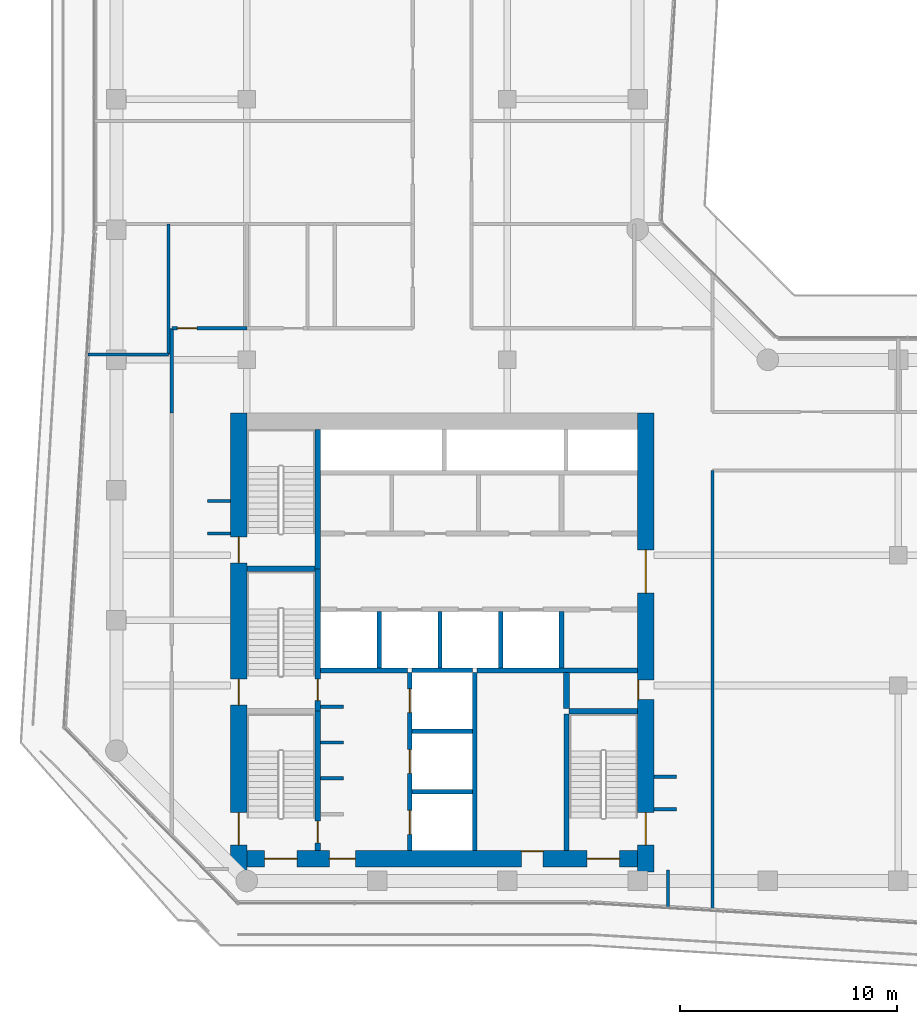
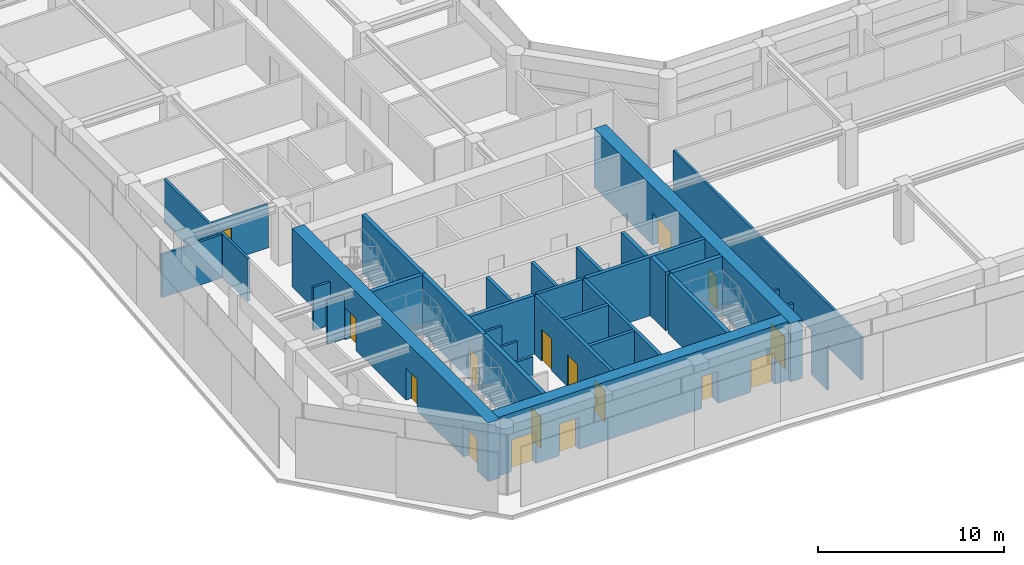
# One storey, part 20 of 24: 34 walls, 16 doors, 16 openings.
"""IFC4 building model written with IfcOpenShell, lengths in metres."""

import ifcopenshell
import ifcopenshell.guid

model = None  # the IFC model being written
_history = None  # IfcOwnerHistory: only IFC2X3 demands one
_inside = {}  # id of a spatial element -> (the spatial element, [elements in it])
_under = {}  # id of a project, library or spatial element -> (it, [spatial elements below it])
_declared = {}  # id of a project -> (the project, [libraries it declares])
_typed = {}  # id of a type object -> (the type object, [elements of that type])
_made_of = {}  # id of a material, layer set ... -> (it, [elements and type objects made of it])


def new_model(schema):
    """Start an empty IFC model of exactly this schema.

    Asked for "IFC4X3", IfcOpenShell would pick the latest addendum, in which some entities
    have other attributes; the version numbers below select the first issue.
    IFC2X3 requires an IfcOwnerHistory on every rooted entity: one is made here for all.
    """
    global model, _history
    if schema == "IFC4X3":
        model = ifcopenshell.file(schema_version=(4, 3, 0, 0))
    else:
        model = ifcopenshell.file(schema=schema)
    _inside.clear()
    _under.clear()
    _declared.clear()
    _typed.clear()
    _made_of.clear()
    _history = None
    if model.schema == "IFC2X3":
        org = make("IfcOrganization", Name="unknown")
        user = make(
            "IfcPersonAndOrganization",
            ThePerson=make("IfcPerson", FamilyName="unknown"),
            TheOrganization=org,
        )
        app = make(
            "IfcApplication",
            ApplicationDeveloper=org,
            Version="unknown",
            ApplicationFullName="unknown",
            ApplicationIdentifier="unknown",
        )
        _history = make(
            "IfcOwnerHistory",
            OwningUser=user,
            OwningApplication=app,
            ChangeAction="ADDED",
            CreationDate=0,
        )
    return model


def make(cls, **values):
    """One entity of the class cls with the attributes given. An attribute that is None is left unset."""
    return model.create_entity(
        cls, **{name: value for name, value in values.items() if value is not None}
    )


def rooted(cls, **values):
    """An entity with a GlobalId (a new one), such as an element, a storey or a relation."""
    return make(cls, GlobalId=ifcopenshell.guid.new(), OwnerHistory=_history, **values)


def si_unit(unit_type, name, prefix=None):
    """IfcSIUnit, for example si_unit("LENGTHUNIT", "METRE", prefix="MILLI")."""
    return make("IfcSIUnit", UnitType=unit_type, Prefix=prefix, Name=name)


def assignment(units):
    """IfcUnitAssignment: the units of a project."""
    return None if units is None else make("IfcUnitAssignment", Units=units)


def point(xyz):
    """IfcCartesianPoint."""
    return None if xyz is None else make("IfcCartesianPoint", Coordinates=xyz)


def direction(xyz):
    """IfcDirection."""
    return None if xyz is None else make("IfcDirection", DirectionRatios=xyz)


def frame(location, z_axis=None, x_axis=None):
    """IfcAxis2Placement3D, a coordinate frame: its origin and axes. An axis left out is left unset."""
    return make(
        "IfcAxis2Placement3D",
        Location=point(location),
        Axis=direction(z_axis),
        RefDirection=direction(x_axis),
    )


def frame_2d(location, x_axis=None):
    """IfcAxis2Placement2D, a coordinate frame in the plane: its origin and x axis."""
    return make(
        "IfcAxis2Placement2D", Location=point(location), RefDirection=direction(x_axis)
    )


def origin():
    """The frame at (0, 0, 0) with its axes left unset."""
    return frame((0.0, 0.0, 0.0))


def place(relative_to, where):
    """IfcLocalPlacement: puts the frame where relative to a parent placement (None: the world)."""
    return make(
        "IfcLocalPlacement", PlacementRelTo=relative_to, RelativePlacement=where
    )


def context(
    kind, dimensions, precision=None, world=None, true_north=None, identifier=None
):
    """IfcGeometricRepresentationContext, for example the 3D "Model" context."""
    return make(
        "IfcGeometricRepresentationContext",
        ContextIdentifier=identifier,
        ContextType=kind,
        CoordinateSpaceDimension=dimensions,
        Precision=precision,
        WorldCoordinateSystem=world,
        TrueNorth=true_north,
    )


def subcontext(parent, identifier, kind, view, scale=None):
    """IfcGeometricRepresentationSubContext, for example "Body" below "Model"."""
    return make(
        "IfcGeometricRepresentationSubContext",
        ContextIdentifier=identifier,
        ContextType=kind,
        ParentContext=parent,
        TargetScale=scale,
        TargetView=view,
    )


def project(units=None, contexts=None):
    """IfcProject with its units and contexts."""
    return rooted(
        "IfcProject",
        Name="project",
        RepresentationContexts=contexts,
        UnitsInContext=assignment(units),
    )


def spatial(cls, under=None, at=None, **own):
    """A site, building, storey or space (cls), placed at a placement, below another one or the project."""
    s = rooted(cls, ObjectPlacement=at, **own)
    if under is not None:
        _under.setdefault(under.id(), (under, []))[1].append(s)
    return s


def profile(cls, at=None, kind="AREA", **sizes):
    """A parametric profile (cls). Its sizes go by their IFC names, for example OverallWidth=200.0."""
    return make(cls, ProfileType=kind, Position=at, **sizes)


def rectangle(**sizes):
    """IfcRectangleProfileDef."""
    return profile("IfcRectangleProfileDef", **sizes)


def extrude(swept, where, along, depth):
    """IfcExtrudedAreaSolid: the profile swept, set in the frame where, extruded along a direction by depth."""
    return make(
        "IfcExtrudedAreaSolid",
        SweptArea=swept,
        Position=where,
        ExtrudedDirection=direction(along),
        Depth=depth,
    )


def shape(context_of_items, identifier, shape_type, items):
    """IfcShapeRepresentation: the items that make up one representation, for example the "Body"."""
    return make(
        "IfcShapeRepresentation",
        ContextOfItems=context_of_items,
        RepresentationIdentifier=identifier,
        RepresentationType=shape_type,
        Items=items,
    )


def material(Name=None, Category=None):
    """IfcMaterial."""
    return make("IfcMaterial", Name=Name, Category=Category)


def layer(
    of_material, thickness, ventilated=None, Name=None, Category=None, Priority=None
):
    """IfcMaterialLayer: one layer of a wall or slab, of a material (None: an air gap)."""
    return make(
        "IfcMaterialLayer",
        Material=of_material,
        LayerThickness=thickness,
        IsVentilated=ventilated,
        Name=Name,
        Category=Category,
        Priority=Priority,
    )


def layer_set(layers, Name=None):
    """IfcMaterialLayerSet."""
    return make("IfcMaterialLayerSet", MaterialLayers=layers, LayerSetName=Name)


def made_of(thing, what):
    """Note that an element or type object is made of a material, layer set ...; save() writes the relation."""
    if what is not None:
        _made_of.setdefault(what.id(), (what, []))[1].append(thing)
    return thing


def type_object(cls, material=None, **own):
    """A type object (cls), such as IfcWallType, which elements share."""
    return made_of(rooted(cls, **own), material)


def element(
    cls,
    number,
    at=None,
    inside=None,
    cuts=None,
    type_object=None,
    material=None,
    context=None,
    identifier="Body",
    shape_type=None,
    held_by="IfcProductDefinitionShape",
    body=None,
    shapes=None,
    **own,
):
    """One element of the class cls, such as IfcWall. Its Tag is "e" and its number.

    at: its placement. inside: the storey or other place that contains it. cuts: it is an
    opening in that element (IfcRelVoidsElement). A single representation is given by context,
    identifier, shape_type and body (its items); several are given by shapes. held_by: the class
    of the entity that holds the representations. save() writes the other relations.
    """
    e = rooted(cls, Tag="e%d" % number, ObjectPlacement=at, **own)
    if body is not None:
        shapes = [shape(context, identifier, shape_type, body)]
    if shapes is not None:
        e.Representation = make(held_by, Representations=shapes)
    if inside is not None:
        _inside.setdefault(inside.id(), (inside, []))[1].append(e)
    if cuts is not None:
        rooted(
            "IfcRelVoidsElement", RelatingBuildingElement=cuts, RelatedOpeningElement=e
        )
    if type_object is not None:
        _typed.setdefault(type_object.id(), (type_object, []))[1].append(e)
    return made_of(e, material)


def fill(opening, filler):
    """IfcRelFillsElement: the door or window that sits in an opening."""
    return rooted(
        "IfcRelFillsElement",
        RelatingOpeningElement=opening,
        RelatedBuildingElement=filler,
    )


def aggregate(whole, parts):
    """IfcRelAggregates: a whole, such as a stair, and the parts it consists of."""
    return rooted("IfcRelAggregates", RelatingObject=whole, RelatedObjects=parts)


def save(model, path):
    """Write the relations noted so far, then the file.

    IfcRelAggregates (storeys below a building ...), IfcRelContainedInSpatialStructure (elements
    in a storey), IfcRelDefinesByType, IfcRelAssociatesMaterial and IfcRelDeclares: one each for
    every whole, place, type object, material and project.
    """
    for whole, parts in _under.values():
        aggregate(whole, parts)
    for where, things in _inside.values():
        rooted(
            "IfcRelContainedInSpatialStructure",
            RelatedElements=things,
            RelatingStructure=where,
        )
    for kind, things in _typed.values():
        rooted("IfcRelDefinesByType", RelatedObjects=things, RelatingType=kind)
    for what, things in _made_of.values():
        rooted("IfcRelAssociatesMaterial", RelatedObjects=things, RelatingMaterial=what)
    for by, libraries in _declared.values():
        rooted("IfcRelDeclares", RelatingContext=by, RelatedDefinitions=libraries)
    model.write(path)


model = new_model("IFC4")

# Units and contexts
model_context = context("Model", 3, precision=1e-05, world=origin(), true_north=direction((0.0, 1.0)))
body_context = subcontext(model_context, "Body", "Model", "MODEL_VIEW")
ifc_project = project(units=[si_unit("LENGTHUNIT", "METRE"), si_unit("AREAUNIT", "SQUARE_METRE"), si_unit("VOLUMEUNIT", "CUBIC_METRE"), si_unit("PLANEANGLEUNIT", "RADIAN"), si_unit("MASSUNIT", "GRAM", prefix="KILO")], contexts=[model_context])

# Site, building, storey
site_placement = place(None, origin())
site = spatial("IfcSite", under=ifc_project, at=site_placement, CompositionType="ELEMENT")
building_placement = place(site_placement, origin())
building = spatial("IfcBuilding", under=site, at=building_placement, Name="Welwitschia Terrace Campus", CompositionType="ELEMENT")
storey_placement = place(building_placement, frame((0.0, 0.0, 125.60009765625)))
storey = spatial("IfcBuildingStorey", under=building, at=storey_placement, Name="L28", CompositionType="ELEMENT", Elevation=125.60009765625)

# Walls
ifc_material_1 = material(Name="Concrete C32/40", Category="concrete")
ifc_layer_1 = layer(ifc_material_1, 0.22509765625)
ifc_layer_set_1 = layer_set([ifc_layer_1], Name="Concrete C32/40")
wall_type_1 = type_object("IfcWallType", Name="Core partition 225 Concrete C32/40", PredefinedType="PARTITIONING", material=ifc_layer_set_1)
wall_1_placement = place(storey_placement, frame((9.39990234375, 13.699951171875, 0.0), z_axis=(0.0, 0.0, 1.0), x_axis=(1.0, 0.0, 0.0)))
element("IfcWall", 1, at=wall_1_placement, inside=storey, type_object=wall_type_1, Name="Shaft wall", PredefinedType="PARTITIONING", context=body_context, shape_type="SweptSolid", body=[
    extrude(rectangle(XDim=4.0, YDim=0.22509765625, at=frame_2d((2.0, 0.0))), origin(), (0.0, 0.0, 1.0), 3.849853515625),
])
wall_2_placement = place(storey_placement, frame((16.60009765625, 13.699951171875, 0.0), z_axis=(0.0, 0.0, 1.0), x_axis=(1.0, 0.0, 0.0)))
element("IfcWall", 2, at=wall_2_placement, inside=storey, type_object=wall_type_1, Name="Shaft wall", PredefinedType="PARTITIONING", context=body_context, shape_type="SweptSolid", body=[
    extrude(rectangle(XDim=7.39990234375, YDim=0.22509765625, at=frame_2d((3.699951171875, 0.0))), origin(), (0.0, 0.0, 1.0), 3.849853515625),
])
wall_3_placement = place(storey_placement, frame((20.5, 13.800048828125, 0.0), z_axis=(0.0, 0.0, 1.0), x_axis=(0.0, 1.0, 0.0)))
element("IfcWall", 3, at=wall_3_placement, inside=storey, type_object=wall_type_1, Name="Shaft wall", PredefinedType="PARTITIONING", context=body_context, shape_type="SweptSolid", body=[
    extrude(rectangle(XDim=2.599853515625, YDim=0.22509765625, at=frame_2d((1.2998046875, 0.0))), origin(), (0.0, 0.0, 1.0), 3.849853515625),
])
ifc_material_2 = material(Name="Concrete C32/40", Category="concrete")
ifc_layer_2 = layer(ifc_material_2, 0.27490234375)
ifc_layer_set_2 = layer_set([ifc_layer_2], Name="Concrete C32/40")
wall_type_2 = type_object("IfcWallType", Name="Core partition 275 Concrete C32/40", PredefinedType="PARTITIONING", material=ifc_layer_set_2)
wall_4_placement = place(storey_placement, frame((20.72509765625, 11.949951171875, 0.0), z_axis=(0.0, 0.0, 1.0), x_axis=(0.0, 1.0, 0.0)))
element("IfcWall", 4, at=wall_4_placement, inside=storey, type_object=wall_type_2, Name="Core partition", PredefinedType="PARTITIONING", context=body_context, shape_type="SweptSolid", body=[
    extrude(rectangle(XDim=1.650146484375, YDim=0.27490234375, at=frame_2d((0.8251953125, 0.0))), origin(), (0.0, 0.0, 1.0), 3.849853515625),
])
ifc_material_3 = material(Name="Concrete C50/60", Category="concrete")
ifc_layer_3 = layer(ifc_material_3, 0.14990234375)
ifc_layer_set_3 = layer_set([ifc_layer_3], Name="Concrete C50/60")
wall_type_3 = type_object("IfcWallType", Name="Core wall 150 Concrete C50/60", PredefinedType="SHEAR", material=ifc_layer_set_3)
for number, where, z_axis, x_axis, name in (
    (5, (9.39990234375, 8.72509765625, 0.0), (0.0, 0.0, 1.0), (1.0, 0.0, 0.0), "Core wall"),
    (6, (9.39990234375, 10.375, 0.0), (0.0, 0.0, 1.0), (1.0, 0.0, 0.0), "Core wall"),
    (7, (9.39990234375, 12.02490234375, 0.0), (0.0, 0.0, 1.0), (1.0, 0.0, 0.0), "Core wall"),
):
    element("IfcWall", number, at=place(storey_placement, frame(where, z_axis=z_axis, x_axis=x_axis)), inside=storey, type_object=wall_type_3, Name=name, PredefinedType="SHEAR", context=body_context, shape_type="SweptSolid", body=[
        extrude(rectangle(XDim=1.050048828125, YDim=0.14990234375, at=frame_2d((0.52490234375, 0.0))), origin(), (0.0, 0.0, 1.0), 3.849853515625),
    ])
ifc_material_4 = material(Name="Concrete C50/60", Category="concrete")
ifc_layer_4 = layer(ifc_material_4, 0.199951171875)
ifc_layer_set_4 = layer_set([ifc_layer_4], Name="Concrete C50/60")
wall_type_4 = type_object("IfcWallType", Name="Core wall 200 Concrete C50/60", PredefinedType="SHEAR", material=ifc_layer_set_4)
for number, where, z_axis, x_axis, name in (
    (8, (13.60009765625, 8.10009765625, 0.0), (0.0, 0.0, 1.0), (1.0, 0.0, 0.0), "Core wall"),
    (9, (13.60009765625, 10.89990234375, 0.0), (0.0, 0.0, 1.0), (1.0, 0.0, 0.0), "Core wall"),
    (10, (13.60009765625, 13.699951171875, 0.0), (0.0, 0.0, 1.0), (1.0, 0.0, 0.0), "Core wall"),
):
    element("IfcWall", number, at=place(storey_placement, frame(where, z_axis=z_axis, x_axis=x_axis)), inside=storey, type_object=wall_type_4, Name=name, PredefinedType="SHEAR", context=body_context, shape_type="SweptSolid", body=[
        extrude(rectangle(XDim=2.7998046875, YDim=0.199951171875, at=frame_2d((1.39990234375, 0.0))), origin(), (0.0, 0.0, 1.0), 3.849853515625),
    ])

# Wall, openings, doors
wall_5_placement = place(storey_placement, frame((13.5, 5.39990234375, 0.0), z_axis=(0.0, 0.0, 1.0), x_axis=(0.0, 1.0, 0.0)))
wall_5 = element("IfcWall", 11, at=wall_5_placement, inside=storey, type_object=wall_type_4, Name="Core wall", PredefinedType="SHEAR", context=body_context, shape_type="SweptSolid", body=[
    extrude(rectangle(XDim=8.2001953125, YDim=0.199951171875, at=frame_2d((4.10009765625, 0.0))), origin(), (0.0, 0.0, 1.0), 3.849853515625),
])
opening_1_placement = place(wall_5_placement, frame((0.75, 0.0, 0.0)))
opening_1 = element("IfcOpeningElement", 12, at=opening_1_placement, cuts=wall_5, Name="Opening LD", PredefinedType="OPENING", context=body_context, shape_type="SweptSolid", body=[
    extrude(rectangle(XDim=1.10009765625, YDim=2.10009765625, at=frame_2d((0.550048828125, 1.050048828125))), frame((0.0, 0.10986328125, 0.0), z_axis=(0.0, -1.0, 0.0), x_axis=(1.0, 0.0, 0.0)), (0.0, 0.0, 1.0), 0.219970703125),
])
opening_2_placement = place(wall_5_placement, frame((3.550048828125, 0.0, 0.0)))
opening_2 = element("IfcOpeningElement", 13, at=opening_2_placement, cuts=wall_5, Name="Opening LD", PredefinedType="OPENING", context=body_context, shape_type="SweptSolid", body=[
    extrude(rectangle(XDim=1.10009765625, YDim=2.10009765625, at=frame_2d((0.550048828125, 1.050048828125))), frame((0.0, 0.10986328125, 0.0), z_axis=(0.0, -1.0, 0.0), x_axis=(1.0, 0.0, 0.0)), (0.0, 0.0, 1.0), 0.219970703125),
])
opening_3_placement = place(wall_5_placement, frame((6.35009765625, 0.0, 0.0)))
opening_3 = element("IfcOpeningElement", 14, at=opening_3_placement, cuts=wall_5, Name="Opening LD", PredefinedType="OPENING", context=body_context, shape_type="SweptSolid", body=[
    extrude(rectangle(XDim=1.10009765625, YDim=2.10009765625, at=frame_2d((0.550048828125, 1.050048828125))), frame((0.0, 0.10986328125, 0.0), z_axis=(0.0, -1.0, 0.0), x_axis=(1.0, 0.0, 0.0)), (0.0, 0.0, 1.0), 0.219970703125),
])
ifc_material_5 = material(Name="Stainless steel 304", Category="steel")
door_type_1 = type_object("IfcDoorType", Name="Lift landing door", OperationType="DOUBLE_DOOR_SLIDING", PredefinedType="DOOR", material=ifc_material_5)
door_1_placement = place(opening_1_placement, origin())
door_1 = element("IfcDoor", 15, at=door_1_placement, inside=storey, type_object=door_type_1, Name="Landing door FF1", OperationType="DOUBLE_DOOR_SLIDING", OverallHeight=2.10009765625, OverallWidth=1.10009765625, PredefinedType="DOOR", context=body_context, shape_type="SweptSolid", body=[
    extrude(rectangle(XDim=1.10009765625, YDim=2.10009765625, at=frame_2d((0.550048828125, 1.050048828125))), frame((0.0, 0.02490234375, 0.0), z_axis=(0.0, -1.0, 0.0), x_axis=(1.0, 0.0, 0.0)), (0.0, 0.0, 1.0), 0.050048828125),
])
fill(opening_1, door_1)
door_2_placement = place(opening_2_placement, origin())
door_2 = element("IfcDoor", 16, at=door_2_placement, inside=storey, type_object=door_type_1, Name="Landing door FF2", OperationType="DOUBLE_DOOR_SLIDING", OverallHeight=2.10009765625, OverallWidth=1.10009765625, PredefinedType="DOOR", context=body_context, shape_type="SweptSolid", body=[
    extrude(rectangle(XDim=1.10009765625, YDim=2.10009765625, at=frame_2d((0.550048828125, 1.050048828125))), frame((0.0, 0.02490234375, 0.0), z_axis=(0.0, -1.0, 0.0), x_axis=(1.0, 0.0, 0.0)), (0.0, 0.0, 1.0), 0.050048828125),
])
fill(opening_2, door_2)
door_3_placement = place(opening_3_placement, origin())
door_3 = element("IfcDoor", 17, at=door_3_placement, inside=storey, type_object=door_type_1, Name="Landing door SV1", OperationType="DOUBLE_DOOR_SLIDING", OverallHeight=2.10009765625, OverallWidth=1.10009765625, PredefinedType="DOOR", context=body_context, shape_type="SweptSolid", body=[
    extrude(rectangle(XDim=1.10009765625, YDim=2.10009765625, at=frame_2d((0.550048828125, 1.050048828125))), frame((0.0, 0.02490234375, 0.0), z_axis=(0.0, -1.0, 0.0), x_axis=(1.0, 0.0, 0.0)), (0.0, 0.0, 1.0), 0.050048828125),
])
fill(opening_3, door_3)

# Walls
wall_6_placement = place(storey_placement, frame((16.5, 5.39990234375, 0.0), z_axis=(0.0, 0.0, 1.0), x_axis=(0.0, 1.0, 0.0)))
element("IfcWall", 18, at=wall_6_placement, inside=storey, type_object=wall_type_4, Name="Core wall", PredefinedType="SHEAR", context=body_context, shape_type="SweptSolid", body=[
    extrude(rectangle(XDim=8.2001953125, YDim=0.199951171875, at=frame_2d((4.10009765625, 0.0))), origin(), (0.0, 0.0, 1.0), 3.849853515625),
])
ifc_material_6 = material(Name="Concrete C50/60", Category="concrete")
ifc_layer_5 = layer(ifc_material_6, 0.25)
ifc_layer_set_5 = layer_set([ifc_layer_5], Name="Concrete C50/60")
wall_type_5 = type_object("IfcWallType", Name="Core wall 250 Concrete C50/60", PredefinedType="SHEAR", material=ifc_layer_set_5)
for number, where, z_axis, x_axis, name in (
    (19, (20.85009765625, 11.824951171875, 0.0), (0.0, 0.0, 1.0), (1.0, 0.0, 0.0), "Core wall"),
    (20, (6.0, 18.375, 0.0), (0.0, 0.0, 1.0), (1.0, 0.0, 0.0), "Core wall"),
):
    element("IfcWall", number, at=place(storey_placement, frame(where, z_axis=z_axis, x_axis=x_axis)), inside=storey, type_object=wall_type_5, Name=name, PredefinedType="SHEAR", context=body_context, shape_type="SweptSolid", body=[
        extrude(rectangle(XDim=3.14990234375, YDim=0.25, at=frame_2d((1.574951171875, 0.0))), origin(), (0.0, 0.0, 1.0), 3.849853515625),
    ])

# Wall, opening, door
wall_7_placement = place(storey_placement, frame((9.27490234375, 11.824951171875, 0.0), z_axis=(0.0, 0.0, 1.0), x_axis=(0.0, -1.0, 0.0)))
wall_7 = element("IfcWall", 21, at=wall_7_placement, inside=storey, type_object=wall_type_5, Name="Core wall", PredefinedType="SHEAR", context=body_context, shape_type="SweptSolid", body=[
    extrude(rectangle(XDim=6.425048828125, YDim=0.25, at=frame_2d((3.21240234375, 0.0))), origin(), (0.0, 0.0, 1.0), 3.849853515625),
])
opening_4_placement = place(wall_7_placement, frame((5.074951171875, 0.0, 0.0)))
opening_4 = element("IfcOpeningElement", 22, at=opening_4_placement, cuts=wall_7, Name="Opening DS10", PredefinedType="OPENING", context=body_context, shape_type="SweptSolid", body=[
    extrude(rectangle(XDim=1.0, YDim=2.10009765625, at=frame_2d((0.5, 1.050048828125))), frame((0.0, 0.135009765625, 0.0), z_axis=(0.0, -1.0, 0.0), x_axis=(1.0, 0.0, 0.0)), (0.0, 0.0, 1.0), 0.27001953125),
])
ifc_material_7 = material(Name="Steel S275", Category="steel")
door_type_2 = type_object("IfcDoorType", Name="Core door DS10", OperationType="SINGLE_SWING_LEFT", PredefinedType="DOOR", material=ifc_material_7)
door_4_placement = place(opening_4_placement, origin())
door_4 = element("IfcDoor", 23, at=door_4_placement, inside=storey, type_object=door_type_2, Name="Door S1-FL", OperationType="SINGLE_SWING_RIGHT", OverallHeight=2.10009765625, OverallWidth=1.0, PredefinedType="DOOR", context=body_context, shape_type="SweptSolid", body=[
    extrude(rectangle(XDim=1.0, YDim=2.10009765625, at=frame_2d((0.5, 1.050048828125))), frame((0.0, 0.02490234375, 0.0), z_axis=(0.0, -1.0, 0.0), x_axis=(1.0, 0.0, 0.0)), (0.0, 0.0, 1.0), 0.050048828125),
])
fill(opening_4, door_4)

wall_8_placement = place(storey_placement, frame((9.27490234375, 18.375, 0.0), z_axis=(0.0, 0.0, 1.0), x_axis=(0.0, -1.0, 0.0)))
wall_8 = element("IfcWall", 24, at=wall_8_placement, inside=storey, type_object=wall_type_5, Name="Core wall", PredefinedType="SHEAR", context=body_context, shape_type="SweptSolid", body=[
    extrude(rectangle(XDim=6.550048828125, YDim=0.25, at=frame_2d((3.27490234375, 0.0))), origin(), (0.0, 0.0, 1.0), 3.849853515625),
])
opening_5_placement = place(wall_8_placement, frame((5.074951171875, 0.0, 0.0)))
opening_5 = element("IfcOpeningElement", 25, at=opening_5_placement, cuts=wall_8, Name="Opening DS10", PredefinedType="OPENING", context=body_context, shape_type="SweptSolid", body=[
    extrude(rectangle(XDim=1.0, YDim=2.10009765625, at=frame_2d((0.5, 1.050048828125))), frame((0.0, 0.135009765625, 0.0), z_axis=(0.0, -1.0, 0.0), x_axis=(1.0, 0.0, 0.0)), (0.0, 0.0, 1.0), 0.27001953125),
])
door_5_placement = place(opening_5_placement, origin())
door_5 = element("IfcDoor", 26, at=door_5_placement, inside=storey, type_object=door_type_2, Name="Door S3-FL", OperationType="SINGLE_SWING_RIGHT", OverallHeight=2.10009765625, OverallWidth=1.0, PredefinedType="DOOR", context=body_context, shape_type="SweptSolid", body=[
    extrude(rectangle(XDim=1.0, YDim=2.10009765625, at=frame_2d((0.5, 1.050048828125))), frame((0.0, 0.02490234375, 0.0), z_axis=(0.0, -1.0, 0.0), x_axis=(1.0, 0.0, 0.0)), (0.0, 0.0, 1.0), 0.050048828125),
])
fill(opening_5, door_5)

# Walls
wall_9_placement = place(storey_placement, frame((9.27490234375, 18.375, 0.0), z_axis=(0.0, 0.0, 1.0), x_axis=(0.0, 1.0, 0.0)))
element("IfcWall", 27, at=wall_9_placement, inside=storey, type_object=wall_type_5, Name="Core wall", PredefinedType="SHEAR", context=body_context, shape_type="SweptSolid", body=[
    extrude(rectangle(XDim=6.425048828125, YDim=0.25, at=frame_2d((3.21240234375, 0.0))), origin(), (0.0, 0.0, 1.0), 3.849853515625),
])
wall_10_placement = place(storey_placement, frame((20.72509765625, 5.39990234375, 0.0), z_axis=(0.0, 0.0, 1.0), x_axis=(0.0, 1.0, 0.0)))
element("IfcWall", 28, at=wall_10_placement, inside=storey, type_object=wall_type_5, Name="Core wall", PredefinedType="SHEAR", context=body_context, shape_type="SweptSolid", body=[
    extrude(rectangle(XDim=6.300048828125, YDim=0.25, at=frame_2d((3.14990234375, 0.0))), origin(), (0.0, 0.0, 1.0), 3.849853515625),
])

# Wall, openings, doors
ifc_material_8 = material(Name="Concrete C70/85", Category="concrete")
ifc_layer_6 = layer(ifc_material_8, 0.75)
ifc_layer_set_6 = layer_set([ifc_layer_6], Name="Concrete C70/85")
wall_type_6 = type_object("IfcWallType", Name="Core wall 750 Concrete C70/85", PredefinedType="SHEAR", material=ifc_layer_set_6)
wall_11_placement = place(storey_placement, frame((5.625, 4.469970703125, 0.0), z_axis=(0.0, 0.0, 1.0), x_axis=(0.0, 1.0, 0.0)))
wall_11 = element("IfcWall", 29, at=wall_11_placement, inside=storey, type_object=wall_type_6, Name="Core outer wall", PredefinedType="SHEAR", context=body_context, shape_type="SweptSolid", body=[
    extrude(rectangle(XDim=21.080078125, YDim=0.75, at=frame_2d((10.5400390625, 0.0))), origin(), (0.0, 0.0, 1.0), 3.849853515625),
])
opening_6_placement = place(wall_11_placement, frame((1.179931640625, 0.0, 0.0)))
opening_6 = element("IfcOpeningElement", 30, at=opening_6_placement, cuts=wall_11, Name="Opening DS15", PredefinedType="OPENING", context=body_context, shape_type="SweptSolid", body=[
    extrude(rectangle(XDim=1.5, YDim=2.10009765625, at=frame_2d((0.75, 1.050048828125))), frame((0.0, 0.385009765625, 0.0), z_axis=(0.0, -1.0, 0.0), x_axis=(1.0, 0.0, 0.0)), (0.0, 0.0, 1.0), 0.77001953125),
])
opening_7_placement = place(wall_11_placement, frame((7.6298828125, 0.0, 0.0)))
opening_7 = element("IfcOpeningElement", 31, at=opening_7_placement, cuts=wall_11, Name="Opening DS12", PredefinedType="OPENING", context=body_context, shape_type="SweptSolid", body=[
    extrude(rectangle(XDim=1.199951171875, YDim=2.10009765625, at=frame_2d((0.60009765625, 1.050048828125))), frame((0.0, 0.385009765625, 0.0), z_axis=(0.0, -1.0, 0.0), x_axis=(1.0, 0.0, 0.0)), (0.0, 0.0, 1.0), 0.77001953125),
])
opening_8_placement = place(wall_11_placement, frame((14.179931640625, 0.0, 0.0)))
opening_8 = element("IfcOpeningElement", 32, at=opening_8_placement, cuts=wall_11, Name="Opening DS12", PredefinedType="OPENING", context=body_context, shape_type="SweptSolid", body=[
    extrude(rectangle(XDim=1.199951171875, YDim=2.10009765625, at=frame_2d((0.60009765625, 1.050048828125))), frame((0.0, 0.385009765625, 0.0), z_axis=(0.0, -1.0, 0.0), x_axis=(1.0, 0.0, 0.0)), (0.0, 0.0, 1.0), 0.77001953125),
])
ifc_material_9 = material(Name="Steel S275", Category="steel")
door_type_3 = type_object("IfcDoorType", Name="Core door DS12", OperationType="SINGLE_SWING_LEFT", PredefinedType="DOOR", material=ifc_material_9)
door_6_placement = place(opening_7_placement, origin())
door_6 = element("IfcDoor", 33, at=door_6_placement, inside=storey, type_object=door_type_3, Name="Door S3-out", OperationType="SINGLE_SWING_LEFT", OverallHeight=2.10009765625, OverallWidth=1.199951171875, PredefinedType="DOOR", context=body_context, shape_type="SweptSolid", body=[
    extrude(rectangle(XDim=1.199951171875, YDim=2.10009765625, at=frame_2d((0.60009765625, 1.050048828125))), frame((0.0, 0.02490234375, 0.0), z_axis=(0.0, -1.0, 0.0), x_axis=(1.0, 0.0, 0.0)), (0.0, 0.0, 1.0), 0.050048828125),
])
fill(opening_7, door_6)
door_7_placement = place(opening_8_placement, origin())
door_7 = element("IfcDoor", 34, at=door_7_placement, inside=storey, type_object=door_type_3, Name="Door S4-out", OperationType="SINGLE_SWING_RIGHT", OverallHeight=2.10009765625, OverallWidth=1.199951171875, PredefinedType="DOOR", context=body_context, shape_type="SweptSolid", body=[
    extrude(rectangle(XDim=1.199951171875, YDim=2.10009765625, at=frame_2d((0.60009765625, 1.050048828125))), frame((0.0, 0.02490234375, 0.0), z_axis=(0.0, -1.0, 0.0), x_axis=(1.0, 0.0, 0.0)), (0.0, 0.0, 1.0), 0.050048828125),
])
fill(opening_8, door_7)
ifc_material_10 = material(Name="Steel S275", Category="steel")
door_type_4 = type_object("IfcDoorType", Name="Core door DS15", OperationType="DOUBLE_DOOR_SINGLE_SWING", PredefinedType="DOOR", material=ifc_material_10)
door_8_placement = place(opening_6_placement, origin())
door_8 = element("IfcDoor", 35, at=door_8_placement, inside=storey, type_object=door_type_4, Name="Door S1-out", OperationType="DOUBLE_DOOR_SINGLE_SWING", OverallHeight=2.10009765625, OverallWidth=1.5, PredefinedType="DOOR", context=body_context, shape_type="SweptSolid", body=[
    extrude(rectangle(XDim=1.5, YDim=2.10009765625, at=frame_2d((0.75, 1.050048828125))), frame((0.0, 0.02490234375, 0.0), z_axis=(0.0, -1.0, 0.0), x_axis=(1.0, 0.0, 0.0)), (0.0, 0.0, 1.0), 0.050048828125),
])
fill(opening_6, door_8)

wall_12_placement = place(storey_placement, frame((24.375, 25.550048828125, 0.0), z_axis=(0.0, 0.0, 1.0), x_axis=(0.0, -1.0, 0.0)))
wall_12 = element("IfcWall", 36, at=wall_12_placement, inside=storey, type_object=wall_type_6, Name="Core outer wall", PredefinedType="SHEAR", context=body_context, shape_type="SweptSolid", body=[
    extrude(rectangle(XDim=21.130126953125, YDim=0.75, at=frame_2d((10.56494140625, 0.0))), origin(), (0.0, 0.0, 1.0), 3.849853515625),
])
opening_9_placement = place(wall_12_placement, frame((18.39990234375, 0.0, 0.0)))
opening_9 = element("IfcOpeningElement", 37, at=opening_9_placement, cuts=wall_12, Name="Opening DS15", PredefinedType="OPENING", context=body_context, shape_type="SweptSolid", body=[
    extrude(rectangle(XDim=1.5, YDim=2.10009765625, at=frame_2d((0.75, 1.050048828125))), frame((0.0, 0.385009765625, 0.0), z_axis=(0.0, -1.0, 0.0), x_axis=(1.0, 0.0, 0.0)), (0.0, 0.0, 1.0), 0.77001953125),
])
opening_10_placement = place(wall_12_placement, frame((12.300048828125, 0.0, 0.0)))
opening_10 = element("IfcOpeningElement", 38, at=opening_10_placement, cuts=wall_12, Name="Opening DR09", PredefinedType="OPENING", context=body_context, shape_type="SweptSolid", body=[
    extrude(rectangle(XDim=0.89990234375, YDim=2.10009765625, at=frame_2d((0.449951171875, 1.050048828125))), frame((0.0, 0.385009765625, 0.0), z_axis=(0.0, -1.0, 0.0), x_axis=(1.0, 0.0, 0.0)), (0.0, 0.0, 1.0), 0.77001953125),
])
opening_11_placement = place(wall_12_placement, frame((6.300048828125, 0.0, 0.0)))
opening_11 = element("IfcOpeningElement", 39, at=opening_11_placement, cuts=wall_12, Name="Opening DL20", PredefinedType="OPENING", context=body_context, shape_type="SweptSolid", body=[
    extrude(rectangle(XDim=2.0, YDim=2.10009765625, at=frame_2d((1.0, 1.050048828125))), frame((0.0, 0.385009765625, 0.0), z_axis=(0.0, -1.0, 0.0), x_axis=(1.0, 0.0, 0.0)), (0.0, 0.0, 1.0), 0.77001953125),
])
ifc_material_11 = material(Name="Steel S275", Category="steel")
door_type_5 = type_object("IfcDoorType", Name="Core door DL20", OperationType="DOUBLE_DOOR_SINGLE_SWING", PredefinedType="DOOR", material=ifc_material_11)
door_9_placement = place(opening_11_placement, origin())
door_9 = element("IfcDoor", 40, at=door_9_placement, inside=storey, type_object=door_type_5, Name="Door LOBBY-out", OperationType="DOUBLE_DOOR_SINGLE_SWING", OverallHeight=2.10009765625, OverallWidth=2.0, PredefinedType="DOOR", context=body_context, shape_type="SweptSolid", body=[
    extrude(rectangle(XDim=2.0, YDim=2.10009765625, at=frame_2d((1.0, 1.050048828125))), frame((0.0, 0.02490234375, 0.0), z_axis=(0.0, -1.0, 0.0), x_axis=(1.0, 0.0, 0.0)), (0.0, 0.0, 1.0), 0.050048828125),
])
fill(opening_11, door_9)
ifc_material_12 = material(Name="Steel S275", Category="steel")
door_type_6 = type_object("IfcDoorType", Name="Core door DR09", OperationType="SINGLE_SWING_LEFT", PredefinedType="DOOR", material=ifc_material_12)
door_10_placement = place(opening_10_placement, origin())
door_10 = element("IfcDoor", 41, at=door_10_placement, inside=storey, type_object=door_type_6, Name="Door F1B-out", OperationType="SINGLE_SWING_RIGHT", OverallHeight=2.10009765625, OverallWidth=0.89990234375, PredefinedType="DOOR", context=body_context, shape_type="SweptSolid", body=[
    extrude(rectangle(XDim=0.89990234375, YDim=2.10009765625, at=frame_2d((0.449951171875, 1.050048828125))), frame((0.0, -0.31494140625, 0.0), z_axis=(0.0, -1.0, 0.0), x_axis=(1.0, 0.0, 0.0)), (0.0, 0.0, 1.0), 0.050048828125),
])
fill(opening_10, door_10)
door_11_placement = place(opening_9_placement, origin())
door_11 = element("IfcDoor", 42, at=door_11_placement, inside=storey, type_object=door_type_4, Name="Door S2-out", OperationType="DOUBLE_DOOR_SINGLE_SWING", OverallHeight=2.10009765625, OverallWidth=1.5, PredefinedType="DOOR", context=body_context, shape_type="SweptSolid", body=[
    extrude(rectangle(XDim=1.5, YDim=2.10009765625, at=frame_2d((0.75, 1.050048828125))), frame((0.0, 0.02490234375, 0.0), z_axis=(0.0, -1.0, 0.0), x_axis=(1.0, 0.0, 0.0)), (0.0, 0.0, 1.0), 0.050048828125),
])
fill(opening_9, door_11)

wall_13_placement = place(storey_placement, frame((24.0, 5.02490234375, 0.0), z_axis=(0.0, 0.0, 1.0), x_axis=(-1.0, 0.0, 0.0)))
wall_13 = element("IfcWall", 43, at=wall_13_placement, inside=storey, type_object=wall_type_6, Name="Core outer wall", PredefinedType="SHEAR", context=body_context, shape_type="SweptSolid", body=[
    extrude(rectangle(XDim=18.0, YDim=0.75, at=frame_2d((9.0, 0.0))), origin(), (0.0, 0.0, 1.0), 3.849853515625),
])
opening_12_placement = place(wall_13_placement, frame((0.824951171875, 0.0, 0.0)))
opening_12 = element("IfcOpeningElement", 44, at=opening_12_placement, cuts=wall_13, Name="Opening DS15", PredefinedType="OPENING", context=body_context, shape_type="SweptSolid", body=[
    extrude(rectangle(XDim=1.5, YDim=2.10009765625, at=frame_2d((0.75, 1.050048828125))), frame((0.0, 0.385009765625, 0.0), z_axis=(0.0, -1.0, 0.0), x_axis=(1.0, 0.0, 0.0)), (0.0, 0.0, 1.0), 0.77001953125),
])
opening_13_placement = place(wall_13_placement, frame((15.675048828125, 0.0, 0.0)))
opening_13 = element("IfcOpeningElement", 45, at=opening_13_placement, cuts=wall_13, Name="Opening DS15", PredefinedType="OPENING", context=body_context, shape_type="SweptSolid", body=[
    extrude(rectangle(XDim=1.5, YDim=2.10009765625, at=frame_2d((0.75, 1.050048828125))), frame((0.0, 0.385009765625, 0.0), z_axis=(0.0, -1.0, 0.0), x_axis=(1.0, 0.0, 0.0)), (0.0, 0.0, 1.0), 0.77001953125),
])
opening_14_placement = place(wall_13_placement, frame((13.0, 0.0, 0.0)))
opening_14 = element("IfcOpeningElement", 46, at=opening_14_placement, cuts=wall_13, Name="Opening DF12", PredefinedType="OPENING", context=body_context, shape_type="SweptSolid", body=[
    extrude(rectangle(XDim=1.199951171875, YDim=2.10009765625, at=frame_2d((0.60009765625, 1.050048828125))), frame((0.0, 0.385009765625, 0.0), z_axis=(0.0, -1.0, 0.0), x_axis=(1.0, 0.0, 0.0)), (0.0, 0.0, 1.0), 0.77001953125),
])
opening_15_placement = place(wall_13_placement, frame((4.35009765625, 0.0, 0.0)))
opening_15 = element("IfcOpeningElement", 47, at=opening_15_placement, cuts=wall_13, Name="Opening DR10", PredefinedType="OPENING", context=body_context, shape_type="SweptSolid", body=[
    extrude(rectangle(XDim=1.0, YDim=2.10009765625, at=frame_2d((0.5, 1.050048828125))), frame((0.0, 0.385009765625, 0.0), z_axis=(0.0, -1.0, 0.0), x_axis=(1.0, 0.0, 0.0)), (0.0, 0.0, 1.0), 0.77001953125),
])
ifc_material_13 = material(Name="Steel S275", Category="steel")
door_type_7 = type_object("IfcDoorType", Name="Core door DF12", OperationType="SINGLE_SWING_LEFT", PredefinedType="DOOR", material=ifc_material_13)
door_12_placement = place(opening_14_placement, origin())
door_12 = element("IfcDoor", 48, at=door_12_placement, inside=storey, type_object=door_type_7, Name="Door FL-out", OperationType="SINGLE_SWING_RIGHT", OverallHeight=2.10009765625, OverallWidth=1.199951171875, PredefinedType="DOOR", context=body_context, shape_type="SweptSolid", body=[
    extrude(rectangle(XDim=1.199951171875, YDim=2.10009765625, at=frame_2d((0.60009765625, 1.050048828125))), frame((0.0, 0.02490234375, 0.0), z_axis=(0.0, -1.0, 0.0), x_axis=(1.0, 0.0, 0.0)), (0.0, 0.0, 1.0), 0.050048828125),
])
fill(opening_14, door_12)
ifc_material_14 = material(Name="Steel S275", Category="steel")
door_type_8 = type_object("IfcDoorType", Name="Core door DR10", OperationType="SINGLE_SWING_LEFT", PredefinedType="DOOR", material=ifc_material_14)
door_13_placement = place(opening_15_placement, origin())
door_13 = element("IfcDoor", 49, at=door_13_placement, inside=storey, type_object=door_type_8, Name="Door F1-out", OperationType="SINGLE_SWING_LEFT", OverallHeight=2.10009765625, OverallWidth=1.0, PredefinedType="DOOR", context=body_context, shape_type="SweptSolid", body=[
    extrude(rectangle(XDim=1.0, YDim=2.10009765625, at=frame_2d((0.5, 1.050048828125))), frame((0.0, -0.31494140625, 0.0), z_axis=(0.0, -1.0, 0.0), x_axis=(1.0, 0.0, 0.0)), (0.0, 0.0, 1.0), 0.050048828125),
])
fill(opening_15, door_13)
door_14_placement = place(opening_12_placement, origin())
door_14 = element("IfcDoor", 50, at=door_14_placement, inside=storey, type_object=door_type_4, Name="Door S2-outS", OperationType="DOUBLE_DOOR_SINGLE_SWING", OverallHeight=2.10009765625, OverallWidth=1.5, PredefinedType="DOOR", context=body_context, shape_type="SweptSolid", body=[
    extrude(rectangle(XDim=1.5, YDim=2.10009765625, at=frame_2d((0.75, 1.050048828125))), frame((0.0, 0.02490234375, 0.0), z_axis=(0.0, -1.0, 0.0), x_axis=(1.0, 0.0, 0.0)), (0.0, 0.0, 1.0), 0.050048828125),
])
fill(opening_12, door_14)
door_15_placement = place(opening_13_placement, origin())
door_15 = element("IfcDoor", 51, at=door_15_placement, inside=storey, type_object=door_type_4, Name="Door S1-outS", OperationType="DOUBLE_DOOR_SINGLE_SWING", OverallHeight=2.10009765625, OverallWidth=1.5, PredefinedType="DOOR", context=body_context, shape_type="SweptSolid", body=[
    extrude(rectangle(XDim=1.5, YDim=2.10009765625, at=frame_2d((0.75, 1.050048828125))), frame((0.0, 0.02490234375, 0.0), z_axis=(0.0, -1.0, 0.0), x_axis=(1.0, 0.0, 0.0)), (0.0, 0.0, 1.0), 0.050048828125),
])
fill(opening_13, door_15)

# Walls
ifc_material_15 = material(Name="Gypsum board on steel studs", Category="steel")
ifc_layer_7 = layer(ifc_material_15, 0.14990234375)
ifc_layer_set_7 = layer_set([ifc_layer_7], Name="Gypsum board on steel studs")
wall_type_7 = type_object("IfcWallType", Name="Corridor partition 150 EI 30", PredefinedType="PARTITIONING", material=ifc_layer_set_7)
wall_14_placement = place(storey_placement, frame((-1.314208984375, 28.25, 0.0), z_axis=(0.0, 0.0, 1.0), x_axis=(1.0, 0.0, 0.0)))
element("IfcWall", 52, at=wall_14_placement, inside=storey, type_object=wall_type_7, Name="Partition", PredefinedType="PARTITIONING", context=body_context, shape_type="SweptSolid", body=[
    extrude(rectangle(XDim=3.714111328125, YDim=0.14990234375, at=frame_2d((1.85693359375, 0.0))), origin(), (0.0, 0.0, 1.0), 2.829833984375),
])
wall_15_placement = place(storey_placement, frame((2.39990234375, 28.25, 0.0), z_axis=(0.0, 0.0, 1.0), x_axis=(0.0, 1.0, 0.0)))
element("IfcWall", 53, at=wall_15_placement, inside=storey, type_object=wall_type_7, Name="Partition", PredefinedType="PARTITIONING", context=body_context, shape_type="SweptSolid", body=[
    extrude(rectangle(XDim=6.0, YDim=0.14990234375, at=frame_2d((3.0, 0.0))), origin(), (0.0, 0.0, 1.0), 2.829833984375),
])
wall_16_placement = place(storey_placement, frame((2.550048828125, 25.550048828125, 0.0), z_axis=(0.0, 0.0, 1.0), x_axis=(0.0, 1.0, 0.0)))
element("IfcWall", 54, at=wall_16_placement, inside=storey, type_object=wall_type_7, Name="Partition", PredefinedType="PARTITIONING", context=body_context, shape_type="SweptSolid", body=[
    extrude(rectangle(XDim=3.89990234375, YDim=0.14990234375, at=frame_2d((1.949951171875, 0.0))), origin(), (0.0, 0.0, 1.0), 2.829833984375),
])

# Wall, opening, door
wall_17_placement = place(storey_placement, frame((2.550048828125, 29.449951171875, 0.0), z_axis=(0.0, 0.0, 1.0), x_axis=(1.0, 0.0, 0.0)))
wall_17 = element("IfcWall", 55, at=wall_17_placement, inside=storey, type_object=wall_type_7, Name="Partition", PredefinedType="PARTITIONING", context=body_context, shape_type="SweptSolid", body=[
    extrude(rectangle(XDim=3.449951171875, YDim=0.14990234375, at=frame_2d((1.72509765625, 0.0))), origin(), (0.0, 0.0, 1.0), 2.829833984375),
])
opening_16_placement = place(wall_17_placement, frame((0.25, 0.0, 0.0)))
opening_16 = element("IfcOpeningElement", 56, at=opening_16_placement, cuts=wall_17, Name="Opening DI09", PredefinedType="OPENING", context=body_context, shape_type="SweptSolid", body=[
    extrude(rectangle(XDim=0.89990234375, YDim=2.10009765625, at=frame_2d((0.449951171875, 1.050048828125))), frame((0.0, 0.0849609375, 0.0), z_axis=(0.0, -1.0, 0.0), x_axis=(1.0, 0.0, 0.0)), (0.0, 0.0, 1.0), 0.169921875),
])
ifc_material_16 = material(Name="Timber veneered door", Category="wood")
door_type_9 = type_object("IfcDoorType", Name="Interior door DI09", OperationType="NOTDEFINED", PredefinedType="DOOR", material=ifc_material_16)
door_16_placement = place(opening_16_placement, origin())
door_16 = element("IfcDoor", 57, at=door_16_placement, inside=storey, type_object=door_type_9, Name="Door L28 601", OperationType="SINGLE_SWING_RIGHT", OverallHeight=2.10009765625, OverallWidth=0.89990234375, PredefinedType="DOOR", context=body_context, shape_type="SweptSolid", body=[
    extrude(rectangle(XDim=0.89990234375, YDim=2.10009765625, at=frame_2d((0.449951171875, 1.050048828125))), frame((0.0, 0.02490234375, 0.0), z_axis=(0.0, -1.0, 0.0), x_axis=(1.0, 0.0, 0.0)), (0.0, 0.0, 1.0), 0.050048828125),
])
fill(opening_16, door_16)

# Walls
for number, where, z_axis, x_axis, name in (
    (58, (4.199951171875, 20.0, 0.0), (0.0, 0.0, 1.0), (1.0, 0.0, 0.0), "Partition"),
    (59, (4.199951171875, 21.5, 0.0), (0.0, 0.0, 1.0), (1.0, 0.0, 0.0), "Partition"),
    (60, (24.75, 7.300048828125, 0.0), (0.0, 0.0, 1.0), (1.0, 0.0, 0.0), "Partition"),
    (61, (24.75, 8.800048828125, 0.0), (0.0, 0.0, 1.0), (1.0, 0.0, 0.0), "Partition"),
):
    element("IfcWall", number, at=place(storey_placement, frame(where, z_axis=z_axis, x_axis=x_axis)), inside=storey, type_object=wall_type_7, Name=name, PredefinedType="PARTITIONING", context=body_context, shape_type="SweptSolid", body=[
        extrude(rectangle(XDim=1.050048828125, YDim=0.14990234375, at=frame_2d((0.52490234375, 0.0))), origin(), (0.0, 0.0, 1.0), 2.829833984375),
    ])
wall_18_placement = place(storey_placement, frame((25.39990234375, 2.800048828125, 0.0), z_axis=(0.0, 0.0, 1.0), x_axis=(0.0, 1.0, 0.0)))
element("IfcWall", 62, at=wall_18_placement, inside=storey, type_object=wall_type_7, Name="Partition", PredefinedType="PARTITIONING", context=body_context, shape_type="SweptSolid", body=[
    extrude(rectangle(XDim=1.699951171875, YDim=0.14990234375, at=frame_2d((0.85009765625, 0.0))), origin(), (0.0, 0.0, 1.0), 2.829833984375),
])
wall_19_placement = place(storey_placement, frame((27.449951171875, 2.669921875, 0.0), z_axis=(0.0, 0.0, 1.0), x_axis=(0.0, 1.0, 0.0)))
element("IfcWall", 63, at=wall_19_placement, inside=storey, type_object=wall_type_7, Name="Partition", PredefinedType="PARTITIONING", context=body_context, shape_type="SweptSolid", body=[
    extrude(rectangle(XDim=20.22998046875, YDim=0.14990234375, at=frame_2d((10.114990234375, 0.0))), origin(), (0.0, 0.0, 1.0), 2.829833984375),
])
ifc_material_17 = material(Name="Concrete C32/40", Category="concrete")
ifc_layer_8 = layer(ifc_material_17, 0.199951171875)
ifc_layer_set_8 = layer_set([ifc_layer_8], Name="Concrete C32/40")
wall_type_8 = type_object("IfcWallType", Name="Shaft wall 200 Concrete C32/40", PredefinedType="SOLIDWALL", material=ifc_layer_set_8)
for number, where, z_axis, x_axis, name in (
    (64, (12.10009765625, 13.800048828125, 0.0), (0.0, 0.0, 1.0), (0.0, 1.0, 0.0), "Shaft wall"),
    (65, (14.89990234375, 13.800048828125, 0.0), (0.0, 0.0, 1.0), (0.0, 1.0, 0.0), "Shaft wall"),
    (66, (17.699951171875, 13.800048828125, 0.0), (0.0, 0.0, 1.0), (0.0, 1.0, 0.0), "Shaft wall"),
):
    element("IfcWall", number, at=place(storey_placement, frame(where, z_axis=z_axis, x_axis=x_axis)), inside=storey, type_object=wall_type_8, Name=name, PredefinedType="SOLIDWALL", context=body_context, shape_type="SweptSolid", body=[
        extrude(rectangle(XDim=2.599853515625, YDim=0.199951171875, at=frame_2d((1.2998046875, 0.0))), origin(), (0.0, 0.0, 1.0), 3.849853515625),
    ])

save(model, "model.ifc")
